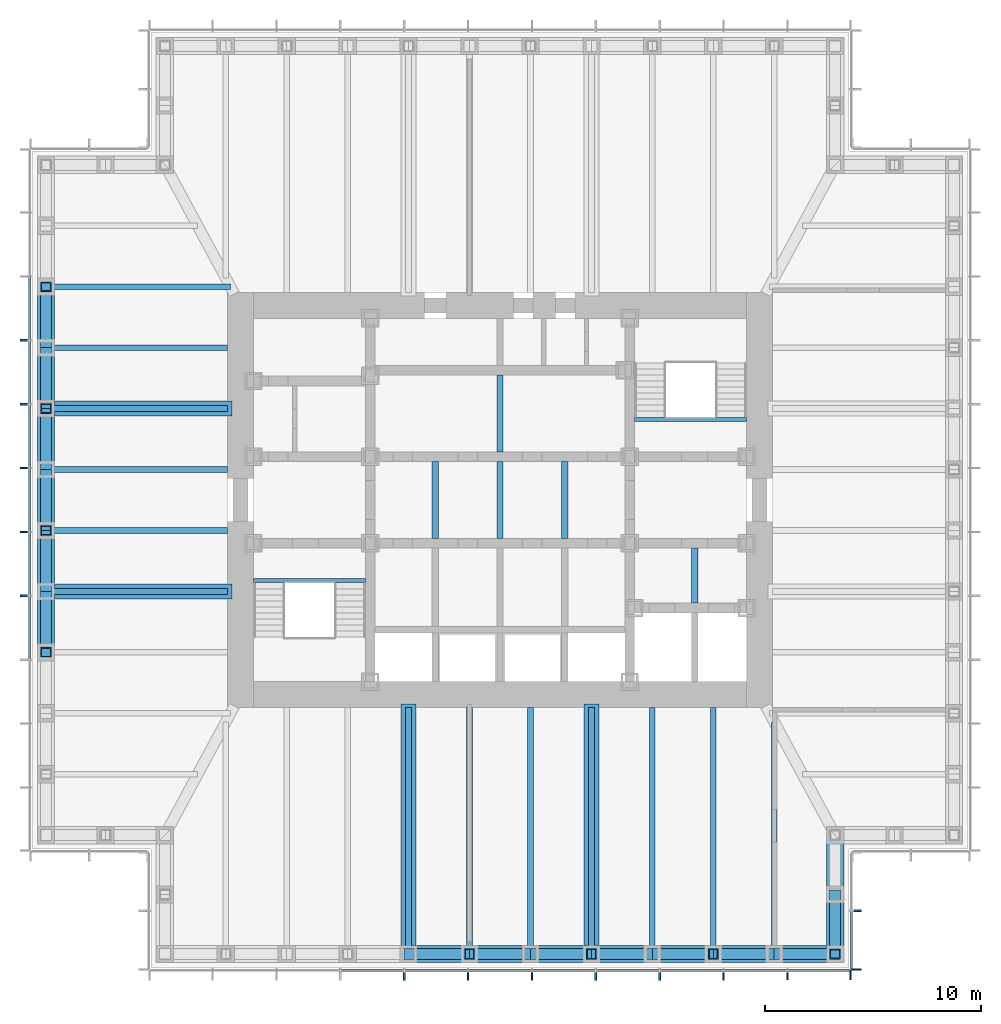
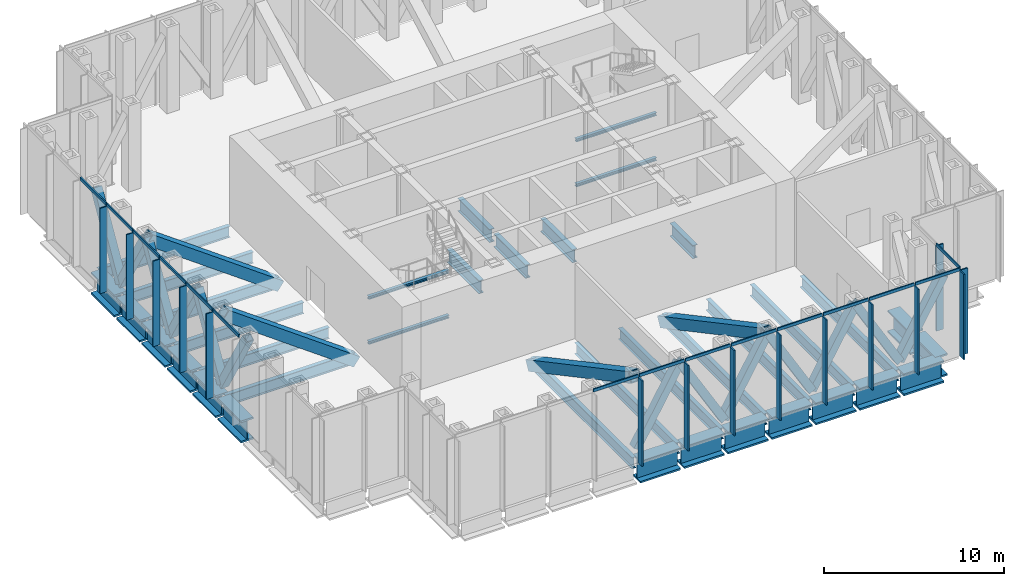
# One storey, part 2 of 12: 48 members, 37 beams, 3 elements without a shape of their own.
"""IFC4 building model written with IfcOpenShell, lengths in metres."""

from ifc_helpers import new_model, si_unit, direction, frame, origin, origin_2d, place, context, subcontext, project, spatial, rectangle, hollow_rectangle, i_section, extrude, material, material_profile, profile_set, type_object, element, aggregate, save


model = new_model("IFC4")

# Units and contexts
model_context = context("Model", 3, precision=1e-05, world=origin(), true_north=direction((0.0, 1.0)))
body_context = subcontext(model_context, "Body", "Model", "MODEL_VIEW")
ifc_project = project(units=[si_unit("LENGTHUNIT", "METRE"), si_unit("AREAUNIT", "SQUARE_METRE"), si_unit("VOLUMEUNIT", "CUBIC_METRE"), si_unit("PLANEANGLEUNIT", "RADIAN"), si_unit("MASSUNIT", "GRAM", prefix="KILO")], contexts=[model_context])

# Site, building, storey
site_placement = place(None, origin())
site = spatial("IfcSite", under=ifc_project, at=site_placement, CompositionType="ELEMENT")
building_placement = place(site_placement, origin())
building = spatial("IfcBuilding", under=site, at=building_placement, Name="Daluyong Arena Tower", CompositionType="ELEMENT")
storey_placement = place(building_placement, frame((0.0, 0.0, 244.300048828125)))
storey = spatial("IfcBuildingStorey", under=building, at=storey_placement, Name="L55", CompositionType="ELEMENT", Elevation=244.300048828125)

# Members
ifc_material_1 = material(Name="Steel ASTM A572 Grade 50", Category="steel")
ifc_material_profile_1 = material_profile(ifc_material_1, hollow_rectangle(XDim=0.5, YDim=0.5, WallThickness=0.04, at=origin_2d()))
ifc_profile_set_1 = profile_set([ifc_material_profile_1], Name="Steel ASTM A572 Grade 50")
member_type_1 = type_object("IfcMemberType", Name="Belt truss diagonal BX500X40", PredefinedType="BRACE", material=ifc_profile_set_1)
for number, where, z_axis, x_axis, name in (
    (1, (51.772705078125, 59.0, 0.5), (0.503187844061, 0.0, 0.86417706148), (0.0, 1.0, 0.0), "belt truss diagonal BT2"),
    (2, (57.4091796875, 59.0, 0.5), (-0.503220397931, 0.0, 0.864158105387), (0.0, -1.0, 0.0), "belt truss diagonal BT2"),
    (3, (57.4091796875, 59.0, 0.5), (0.503187844061, 0.0, 0.86417706148), (0.0, 1.0, 0.0), "belt truss diagonal BT2"),
    (4, (63.04541015625, 59.0, 0.5), (-0.503187844061, 0.0, 0.86417706148), (0.0, -1.0, 0.0), "belt truss diagonal BT2"),
    (5, (63.04541015625, 59.0, 0.5), (0.503187844061, 0.0, 0.86417706148), (0.0, 1.0, 0.0), "belt truss diagonal BT2"),
    (6, (68.681884765625, 59.0, 0.5), (-0.503220397931, 0.0, 0.864158105387), (0.0, -1.0, 0.0), "belt truss diagonal BT2"),
    (7, (68.681884765625, 59.0, 0.5), (0.503187844061, 0.0, 0.86417706148), (0.0, 1.0, 0.0), "belt truss diagonal BT2"),
):
    element("IfcMember", number, at=place(storey_placement, frame(where, z_axis=z_axis, x_axis=x_axis)), inside=storey, type_object=member_type_1, Name=name, PredefinedType="BRACE", context=body_context, shape_type="SweptSolid", body=[
        extrude(hollow_rectangle(XDim=0.5, YDim=0.5, WallThickness=0.04, at=origin_2d()), origin(), (0.0, 0.0, 1.0), 5.6005859375),
    ])
member_1_placement = place(storey_placement, frame((71.5, 61.75, 0.5), z_axis=(0.0, -0.494021463923, 0.869449707104), x_axis=(1.0, 0.0, 0.0)))
element("IfcMember", 8, at=member_1_placement, inside=storey, type_object=member_type_1, Name="belt truss diagonal BT2", PredefinedType="BRACE", context=body_context, shape_type="SweptSolid", body=[
    extrude(hollow_rectangle(XDim=0.5, YDim=0.5, WallThickness=0.04, at=origin_2d()), origin(), (0.0, 0.0, 1.0), 5.566650390625),
])
for number, where, z_axis, x_axis, name in (
    (9, (35.0, 87.04541015625, 0.5), (0.0, 0.503187844061, 0.86417706148), (-1.0, 0.0, 0.0), "belt truss diagonal BT2"),
    (10, (35.0, 87.04541015625, 0.5), (0.0, -0.503187844061, 0.86417706148), (1.0, 0.0, 0.0), "belt truss diagonal BT2"),
    (11, (35.0, 81.4091796875, 0.5), (0.0, 0.503187844061, 0.86417706148), (-1.0, 0.0, 0.0), "belt truss diagonal BT2"),
    (12, (35.0, 81.4091796875, 0.5), (0.0, -0.503220397931, 0.864158105387), (1.0, 0.0, 0.0), "belt truss diagonal BT2"),
    (13, (35.0, 75.772705078125, 0.5), (0.0, 0.503187844061, 0.86417706148), (-1.0, 0.0, 0.0), "belt truss diagonal BT2"),
    (14, (35.0, 75.772705078125, 0.5), (0.0, -0.503187844061, 0.86417706148), (1.0, 0.0, 0.0), "belt truss diagonal BT2"),
):
    element("IfcMember", number, at=place(storey_placement, frame(where, z_axis=z_axis, x_axis=x_axis)), inside=storey, type_object=member_type_1, Name=name, PredefinedType="BRACE", context=body_context, shape_type="SweptSolid", body=[
        extrude(hollow_rectangle(XDim=0.5, YDim=0.5, WallThickness=0.04, at=origin_2d()), origin(), (0.0, 0.0, 1.0), 5.6005859375),
    ])

# Curtain wall, members
ifc_material_2 = material(Name="Bronze anodised aluminium and glass", Category="aluminium")
curtain_wall_type = type_object("IfcCurtainWallType", Name="Curtain wall CW6", PredefinedType="USERDEFINED", material=ifc_material_2)
curtain_wall_1_placement = place(storey_placement, origin())
curtain_wall_1 = element("IfcCurtainWall", 15, at=curtain_wall_1_placement, inside=storey, type_object=curtain_wall_type, Name="curtain wall L55 S", ObjectType="UNITISED CURTAIN WALL", PredefinedType="USERDEFINED")
ifc_material_3 = material(Name="Bronze anodised aluminium fin", Category="aluminium")
ifc_material_profile_2 = material_profile(ifc_material_3, rectangle(XDim=0.449951171875, YDim=0.080078125, at=origin_2d()))
ifc_profile_set_2 = profile_set([ifc_material_profile_2], Name="Bronze anodised aluminium fin")
member_type_2 = type_object("IfcMemberType", Name="CW6 bronze fin 450x80", PredefinedType="MULLION", material=ifc_profile_set_2)
member_2_placement = place(storey_placement, frame((51.568115234375, 58.02490234375, 0.0), z_axis=(0.0, 0.0, 1.0), x_axis=(0.0, 1.0, 0.0)))
member_2 = element("IfcMember", 16, at=member_2_placement, type_object=member_type_2, Name="curtain wall L55 S fin 5", PredefinedType="MULLION", context=body_context, shape_type="SweptSolid", body=[
    extrude(rectangle(XDim=0.449951171875, YDim=0.080078125, at=origin_2d()), origin(), (0.0, 0.0, 1.0), 5.800048828125),
])
member_3_placement = place(storey_placement, frame((54.522705078125, 58.02490234375, 0.0), z_axis=(0.0, 0.0, 1.0), x_axis=(0.0, 1.0, 0.0)))
member_3 = element("IfcMember", 17, at=member_3_placement, type_object=member_type_2, Name="curtain wall L55 S fin 6", PredefinedType="MULLION", context=body_context, shape_type="SweptSolid", body=[
    extrude(rectangle(XDim=0.449951171875, YDim=0.080078125, at=origin_2d()), origin(), (0.0, 0.0, 1.0), 5.800048828125),
])
member_4_placement = place(storey_placement, frame((57.477294921875, 58.02490234375, 0.0), z_axis=(0.0, 0.0, 1.0), x_axis=(0.0, 1.0, 0.0)))
member_4 = element("IfcMember", 18, at=member_4_placement, type_object=member_type_2, Name="curtain wall L55 S fin 7", PredefinedType="MULLION", context=body_context, shape_type="SweptSolid", body=[
    extrude(rectangle(XDim=0.449951171875, YDim=0.080078125, at=origin_2d()), origin(), (0.0, 0.0, 1.0), 5.800048828125),
])
member_5_placement = place(storey_placement, frame((60.431884765625, 58.02490234375, 0.0), z_axis=(0.0, 0.0, 1.0), x_axis=(0.0, 1.0, 0.0)))
member_5 = element("IfcMember", 19, at=member_5_placement, type_object=member_type_2, Name="curtain wall L55 S fin 8", PredefinedType="MULLION", context=body_context, shape_type="SweptSolid", body=[
    extrude(rectangle(XDim=0.449951171875, YDim=0.080078125, at=origin_2d()), origin(), (0.0, 0.0, 1.0), 5.800048828125),
])
member_6_placement = place(storey_placement, frame((63.386474609375, 58.02490234375, 0.0), z_axis=(0.0, 0.0, 1.0), x_axis=(0.0, 1.0, 0.0)))
member_6 = element("IfcMember", 20, at=member_6_placement, type_object=member_type_2, Name="curtain wall L55 S fin 9", PredefinedType="MULLION", context=body_context, shape_type="SweptSolid", body=[
    extrude(rectangle(XDim=0.449951171875, YDim=0.080078125, at=origin_2d()), origin(), (0.0, 0.0, 1.0), 5.800048828125),
])
member_7_placement = place(storey_placement, frame((66.3408203125, 58.02490234375, 0.0), z_axis=(0.0, 0.0, 1.0), x_axis=(0.0, 1.0, 0.0)))
member_7 = element("IfcMember", 21, at=member_7_placement, type_object=member_type_2, Name="curtain wall L55 S fin 10", PredefinedType="MULLION", context=body_context, shape_type="SweptSolid", body=[
    extrude(rectangle(XDim=0.449951171875, YDim=0.080078125, at=origin_2d()), origin(), (0.0, 0.0, 1.0), 5.800048828125),
])
member_8_placement = place(storey_placement, frame((69.29541015625, 58.02490234375, 0.0), z_axis=(0.0, 0.0, 1.0), x_axis=(0.0, 1.0, 0.0)))
member_8 = element("IfcMember", 22, at=member_8_placement, type_object=member_type_2, Name="curtain wall L55 S fin 11", PredefinedType="MULLION", context=body_context, shape_type="SweptSolid", body=[
    extrude(rectangle(XDim=0.449951171875, YDim=0.080078125, at=origin_2d()), origin(), (0.0, 0.0, 1.0), 5.800048828125),
])
member_9_placement = place(storey_placement, frame((72.2099609375, 58.02490234375, 0.0), z_axis=(0.0, 0.0, 1.0), x_axis=(0.0, 1.0, 0.0)))
member_9 = element("IfcMember", 23, at=member_9_placement, type_object=member_type_2, Name="curtain wall L55 S fin 12", PredefinedType="MULLION", context=body_context, shape_type="SweptSolid", body=[
    extrude(rectangle(XDim=0.449951171875, YDim=0.080078125, at=origin_2d()), origin(), (0.0, 0.0, 1.0), 5.800048828125),
])

curtain_wall_2_placement = place(storey_placement, origin())
curtain_wall_2 = element("IfcCurtainWall", 24, at=curtain_wall_2_placement, inside=storey, type_object=curtain_wall_type, Name="curtain wall L55 SE-E", ObjectType="UNITISED CURTAIN WALL", PredefinedType="USERDEFINED")
member_10_placement = place(storey_placement, frame((72.47509765625, 58.2900390625, 0.0), z_axis=(0.0, 0.0, 1.0), x_axis=(-1.0, 0.0, 0.0)))
member_10 = element("IfcMember", 25, at=member_10_placement, type_object=member_type_2, Name="curtain wall L55 SE-E fin 1", PredefinedType="MULLION", context=body_context, shape_type="SweptSolid", body=[
    extrude(rectangle(XDim=0.449951171875, YDim=0.080078125, at=origin_2d()), origin(), (0.0, 0.0, 1.0), 5.800048828125),
])
member_11_placement = place(storey_placement, frame((72.47509765625, 61.0, 0.0), z_axis=(0.0, 0.0, 1.0), x_axis=(-1.0, 0.0, 0.0)))
member_11 = element("IfcMember", 26, at=member_11_placement, type_object=member_type_2, Name="curtain wall L55 SE-E fin 2", PredefinedType="MULLION", context=body_context, shape_type="SweptSolid", body=[
    extrude(rectangle(XDim=0.449951171875, YDim=0.080078125, at=origin_2d()), origin(), (0.0, 0.0, 1.0), 5.800048828125),
])

curtain_wall_3_placement = place(storey_placement, origin())
curtain_wall_3 = element("IfcCurtainWall", 27, at=curtain_wall_3_placement, inside=storey, type_object=curtain_wall_type, Name="curtain wall L55 W", ObjectType="UNITISED CURTAIN WALL", PredefinedType="USERDEFINED")
member_12_placement = place(storey_placement, frame((34.02490234375, 87.386474609375, 0.0), z_axis=(0.0, 0.0, 1.0), x_axis=(1.0, 0.0, 0.0)))
member_12 = element("IfcMember", 28, at=member_12_placement, type_object=member_type_2, Name="curtain wall L55 W fin 4", PredefinedType="MULLION", context=body_context, shape_type="SweptSolid", body=[
    extrude(rectangle(XDim=0.449951171875, YDim=0.080078125, at=origin_2d()), origin(), (0.0, 0.0, 1.0), 5.800048828125),
])
member_13_placement = place(storey_placement, frame((34.02490234375, 84.431884765625, 0.0), z_axis=(0.0, 0.0, 1.0), x_axis=(1.0, 0.0, 0.0)))
member_13 = element("IfcMember", 29, at=member_13_placement, type_object=member_type_2, Name="curtain wall L55 W fin 5", PredefinedType="MULLION", context=body_context, shape_type="SweptSolid", body=[
    extrude(rectangle(XDim=0.449951171875, YDim=0.080078125, at=origin_2d()), origin(), (0.0, 0.0, 1.0), 5.800048828125),
])
member_14_placement = place(storey_placement, frame((34.02490234375, 81.477294921875, 0.0), z_axis=(0.0, 0.0, 1.0), x_axis=(1.0, 0.0, 0.0)))
member_14 = element("IfcMember", 30, at=member_14_placement, type_object=member_type_2, Name="curtain wall L55 W fin 6", PredefinedType="MULLION", context=body_context, shape_type="SweptSolid", body=[
    extrude(rectangle(XDim=0.449951171875, YDim=0.080078125, at=origin_2d()), origin(), (0.0, 0.0, 1.0), 5.800048828125),
])
member_15_placement = place(storey_placement, frame((34.02490234375, 78.522705078125, 0.0), z_axis=(0.0, 0.0, 1.0), x_axis=(1.0, 0.0, 0.0)))
member_15 = element("IfcMember", 31, at=member_15_placement, type_object=member_type_2, Name="curtain wall L55 W fin 7", PredefinedType="MULLION", context=body_context, shape_type="SweptSolid", body=[
    extrude(rectangle(XDim=0.449951171875, YDim=0.080078125, at=origin_2d()), origin(), (0.0, 0.0, 1.0), 5.800048828125),
])
member_16_placement = place(storey_placement, frame((34.02490234375, 75.568115234375, 0.0), z_axis=(0.0, 0.0, 1.0), x_axis=(1.0, 0.0, 0.0)))
member_16 = element("IfcMember", 32, at=member_16_placement, type_object=member_type_2, Name="curtain wall L55 W fin 8", PredefinedType="MULLION", context=body_context, shape_type="SweptSolid", body=[
    extrude(rectangle(XDim=0.449951171875, YDim=0.080078125, at=origin_2d()), origin(), (0.0, 0.0, 1.0), 5.800048828125),
])

# Member
ifc_material_4 = material(Name="Bronze anodised aluminium", Category="aluminium")
ifc_material_profile_3 = material_profile(ifc_material_4, rectangle(XDim=0.080078125, YDim=0.199951171875, at=origin_2d()))
ifc_profile_set_3 = profile_set([ifc_material_profile_3], Name="Bronze anodised aluminium")
member_type_3 = type_object("IfcMemberType", Name="CW6 stack transom 200x80", PredefinedType="USERDEFINED", material=ifc_profile_set_3)
member_17_placement = place(storey_placement, frame((48.653564453125, 58.25, 5.89990234375), z_axis=(1.0, 0.0, 0.0), x_axis=(0.0, 1.0, 0.0)))
member_17 = element("IfcMember", 33, at=member_17_placement, type_object=member_type_3, Name="curtain wall L55 S transom 4", ObjectType="TRANSOM", PredefinedType="USERDEFINED", context=body_context, shape_type="SweptSolid", body=[
    extrude(rectangle(XDim=0.080078125, YDim=0.199951171875, at=origin_2d()), origin(), (0.0, 0.0, 1.0), 2.87451171875),
])

member_18_placement = place(storey_placement, frame((51.608154296875, 58.25, 5.89990234375), z_axis=(1.0, 0.0, 0.0), x_axis=(0.0, 1.0, 0.0)))
member_18 = element("IfcMember", 34, at=member_18_placement, type_object=member_type_3, Name="curtain wall L55 S transom 5", ObjectType="TRANSOM", PredefinedType="USERDEFINED", context=body_context, shape_type="SweptSolid", body=[
    extrude(rectangle(XDim=0.080078125, YDim=0.199951171875, at=origin_2d()), origin(), (0.0, 0.0, 1.0), 2.87451171875),
])

member_19_placement = place(storey_placement, frame((54.562744140625, 58.25, 5.89990234375), z_axis=(1.0, 0.0, 0.0), x_axis=(0.0, 1.0, 0.0)))
member_19 = element("IfcMember", 35, at=member_19_placement, type_object=member_type_3, Name="curtain wall L55 S transom 6", ObjectType="TRANSOM", PredefinedType="USERDEFINED", context=body_context, shape_type="SweptSolid", body=[
    extrude(rectangle(XDim=0.080078125, YDim=0.199951171875, at=origin_2d()), origin(), (0.0, 0.0, 1.0), 2.87451171875),
])

member_20_placement = place(storey_placement, frame((57.517333984375, 58.25, 5.89990234375), z_axis=(1.0, 0.0, 0.0), x_axis=(0.0, 1.0, 0.0)))
member_20 = element("IfcMember", 36, at=member_20_placement, type_object=member_type_3, Name="curtain wall L55 S transom 7", ObjectType="TRANSOM", PredefinedType="USERDEFINED", context=body_context, shape_type="SweptSolid", body=[
    extrude(rectangle(XDim=0.080078125, YDim=0.199951171875, at=origin_2d()), origin(), (0.0, 0.0, 1.0), 2.87451171875),
])

member_21_placement = place(storey_placement, frame((60.471923828125, 58.25, 5.89990234375), z_axis=(1.0, 0.0, 0.0), x_axis=(0.0, 1.0, 0.0)))
member_21 = element("IfcMember", 37, at=member_21_placement, type_object=member_type_3, Name="curtain wall L55 S transom 8", ObjectType="TRANSOM", PredefinedType="USERDEFINED", context=body_context, shape_type="SweptSolid", body=[
    extrude(rectangle(XDim=0.080078125, YDim=0.199951171875, at=origin_2d()), origin(), (0.0, 0.0, 1.0), 2.87451171875),
])

member_22_placement = place(storey_placement, frame((63.42626953125, 58.25, 5.89990234375), z_axis=(1.0, 0.0, 0.0), x_axis=(0.0, 1.0, 0.0)))
member_22 = element("IfcMember", 38, at=member_22_placement, type_object=member_type_3, Name="curtain wall L55 S transom 9", ObjectType="TRANSOM", PredefinedType="USERDEFINED", context=body_context, shape_type="SweptSolid", body=[
    extrude(rectangle(XDim=0.080078125, YDim=0.199951171875, at=origin_2d()), origin(), (0.0, 0.0, 1.0), 2.874755859375),
])

member_23_placement = place(storey_placement, frame((66.380859375, 58.25, 5.89990234375), z_axis=(1.0, 0.0, 0.0), x_axis=(0.0, 1.0, 0.0)))
member_23 = element("IfcMember", 39, at=member_23_placement, type_object=member_type_3, Name="curtain wall L55 S transom 10", ObjectType="TRANSOM", PredefinedType="USERDEFINED", context=body_context, shape_type="SweptSolid", body=[
    extrude(rectangle(XDim=0.080078125, YDim=0.199951171875, at=origin_2d()), origin(), (0.0, 0.0, 1.0), 2.87451171875),
])

member_24_placement = place(storey_placement, frame((69.33544921875, 58.25, 5.89990234375), z_axis=(1.0, 0.0, 0.0), x_axis=(0.0, 1.0, 0.0)))
member_24 = element("IfcMember", 40, at=member_24_placement, type_object=member_type_3, Name="curtain wall L55 S transom 11", ObjectType="TRANSOM", PredefinedType="USERDEFINED", context=body_context, shape_type="SweptSolid", body=[
    extrude(rectangle(XDim=0.080078125, YDim=0.199951171875, at=origin_2d()), origin(), (0.0, 0.0, 1.0), 2.83447265625),
])

aggregate(curtain_wall_1, [member_2, member_3, member_4, member_5, member_6, member_7, member_8, member_9, member_17, member_18, member_19, member_20, member_21, member_22, member_23, member_24])

member_25_placement = place(storey_placement, frame((72.25, 58.330078125, 5.89990234375), z_axis=(0.0, 1.0, 0.0), x_axis=(-1.0, 0.0, 0.0)))
member_25 = element("IfcMember", 41, at=member_25_placement, type_object=member_type_3, Name="curtain wall L55 SE-E transom 1", ObjectType="TRANSOM", PredefinedType="USERDEFINED", context=body_context, shape_type="SweptSolid", body=[
    extrude(rectangle(XDim=0.080078125, YDim=0.199951171875, at=origin_2d()), origin(), (0.0, 0.0, 1.0), 2.6298828125),
])

aggregate(curtain_wall_2, [member_10, member_11, member_25])

member_26_placement = place(storey_placement, frame((34.25, 90.301025390625, 5.89990234375), z_axis=(0.0, -1.0, 0.0), x_axis=(1.0, 0.0, 0.0)))
member_26 = element("IfcMember", 42, at=member_26_placement, type_object=member_type_3, Name="curtain wall L55 W transom 3", ObjectType="TRANSOM", PredefinedType="USERDEFINED", context=body_context, shape_type="SweptSolid", body=[
    extrude(rectangle(XDim=0.080078125, YDim=0.199951171875, at=origin_2d()), origin(), (0.0, 0.0, 1.0), 2.874755859375),
])

member_27_placement = place(storey_placement, frame((34.25, 87.346435546875, 5.89990234375), z_axis=(0.0, -1.0, 0.0), x_axis=(1.0, 0.0, 0.0)))
member_27 = element("IfcMember", 43, at=member_27_placement, type_object=member_type_3, Name="curtain wall L55 W transom 4", ObjectType="TRANSOM", PredefinedType="USERDEFINED", context=body_context, shape_type="SweptSolid", body=[
    extrude(rectangle(XDim=0.080078125, YDim=0.199951171875, at=origin_2d()), origin(), (0.0, 0.0, 1.0), 2.87451171875),
])

member_28_placement = place(storey_placement, frame((34.25, 84.391845703125, 5.89990234375), z_axis=(0.0, -1.0, 0.0), x_axis=(1.0, 0.0, 0.0)))
member_28 = element("IfcMember", 44, at=member_28_placement, type_object=member_type_3, Name="curtain wall L55 W transom 5", ObjectType="TRANSOM", PredefinedType="USERDEFINED", context=body_context, shape_type="SweptSolid", body=[
    extrude(rectangle(XDim=0.080078125, YDim=0.199951171875, at=origin_2d()), origin(), (0.0, 0.0, 1.0), 2.87451171875),
])

member_29_placement = place(storey_placement, frame((34.25, 81.437255859375, 5.89990234375), z_axis=(0.0, -1.0, 0.0), x_axis=(1.0, 0.0, 0.0)))
member_29 = element("IfcMember", 45, at=member_29_placement, type_object=member_type_3, Name="curtain wall L55 W transom 6", ObjectType="TRANSOM", PredefinedType="USERDEFINED", context=body_context, shape_type="SweptSolid", body=[
    extrude(rectangle(XDim=0.080078125, YDim=0.199951171875, at=origin_2d()), origin(), (0.0, 0.0, 1.0), 2.87451171875),
])

member_30_placement = place(storey_placement, frame((34.25, 78.482666015625, 5.89990234375), z_axis=(0.0, -1.0, 0.0), x_axis=(1.0, 0.0, 0.0)))
member_30 = element("IfcMember", 46, at=member_30_placement, type_object=member_type_3, Name="curtain wall L55 W transom 7", ObjectType="TRANSOM", PredefinedType="USERDEFINED", context=body_context, shape_type="SweptSolid", body=[
    extrude(rectangle(XDim=0.080078125, YDim=0.199951171875, at=origin_2d()), origin(), (0.0, 0.0, 1.0), 2.87451171875),
])

member_31_placement = place(storey_placement, frame((34.25, 75.528076171875, 5.89990234375), z_axis=(0.0, -1.0, 0.0), x_axis=(1.0, 0.0, 0.0)))
member_31 = element("IfcMember", 47, at=member_31_placement, type_object=member_type_3, Name="curtain wall L55 W transom 8", ObjectType="TRANSOM", PredefinedType="USERDEFINED", context=body_context, shape_type="SweptSolid", body=[
    extrude(rectangle(XDim=0.080078125, YDim=0.199951171875, at=origin_2d()), origin(), (0.0, 0.0, 1.0), 2.87451171875),
])

aggregate(curtain_wall_3, [member_12, member_13, member_14, member_15, member_16, member_26, member_27, member_28, member_29, member_30, member_31])

# Beams
ifc_material_5 = material(Name="Steel ASTM A992 Grade 50", Category="steel")
ifc_material_profile_4 = material_profile(ifc_material_5, i_section(OverallWidth=0.2666015625, OverallDepth=0.761962890625, WebThickness=0.014404296875, FlangeThickness=0.021484375, at=origin_2d()))
ifc_profile_set_4 = profile_set([ifc_material_profile_4], Name="Steel ASTM A992 Grade 50")
beam_type_1 = type_object("IfcBeamType", Name="Floor beam W30X116", PredefinedType="BEAM", material=ifc_profile_set_4)
for number, where, z_axis, x_axis, name in (
    (48, (51.772705078125, 59.114990234375, -0.631103515625), (0.0, 1.0, 0.0), (-1.0, 0.0, 0.0), "floor beam FB4"),
    (49, (54.5908203125, 59.114990234375, -0.631103515625), (0.0, 1.0, 0.0), (-1.0, 0.0, 0.0), "floor beam FB4"),
    (50, (57.4091796875, 59.114990234375, -0.631103515625), (0.0, 1.0, 0.0), (-1.0, 0.0, 0.0), "floor beam FB4"),
    (51, (60.227294921875, 59.114990234375, -0.631103515625), (0.0, 1.0, 0.0), (-1.0, 0.0, 0.0), "floor beam FB4"),
    (52, (63.04541015625, 59.114990234375, -0.631103515625), (0.0, 1.0, 0.0), (-1.0, 0.0, 0.0), "floor beam FB4"),
    (53, (65.863525390625, 59.114990234375, -0.631103515625), (0.0, 1.0, 0.0), (-1.0, 0.0, 0.0), "floor beam FB4"),
):
    element("IfcBeam", number, at=place(storey_placement, frame(where, z_axis=z_axis, x_axis=x_axis)), inside=storey, type_object=beam_type_1, Name=name, PredefinedType="BEAM", context=body_context, shape_type="SweptSolid", body=[
        extrude(i_section(OverallWidth=0.2666015625, OverallDepth=0.761962890625, WebThickness=0.014404296875, FlangeThickness=0.021484375, at=origin_2d()), origin(), (0.0, 0.0, 1.0), 11.284912109375),
    ])
beam_1_placement = place(storey_placement, frame((68.681884765625, 59.114990234375, -0.631103515625), z_axis=(0.0, 1.0, 0.0), x_axis=(-1.0, 0.0, 0.0)))
element("IfcBeam", 54, at=beam_1_placement, inside=storey, type_object=beam_type_1, Name="floor beam FB4", PredefinedType="BEAM", context=body_context, shape_type="SweptSolid", body=[
    extrude(i_section(OverallWidth=0.2666015625, OverallDepth=0.761962890625, WebThickness=0.014404296875, FlangeThickness=0.021484375, at=origin_2d()), origin(), (0.0, 0.0, 1.0), 10.618896484375),
])
beam_2_placement = place(storey_placement, frame((35.114990234375, 89.863525390625, -0.631103515625), z_axis=(1.0, 0.0, 0.0), x_axis=(0.0, 1.0, 0.0)))
element("IfcBeam", 55, at=beam_2_placement, inside=storey, type_object=beam_type_1, Name="floor beam FB4", PredefinedType="BEAM", context=body_context, shape_type="SweptSolid", body=[
    extrude(i_section(OverallWidth=0.2666015625, OverallDepth=0.761962890625, WebThickness=0.014404296875, FlangeThickness=0.021484375, at=origin_2d()), origin(), (0.0, 0.0, 1.0), 8.419921875),
])
for number, where, z_axis, x_axis, name in (
    (56, (35.114990234375, 87.04541015625, -0.631103515625), (1.0, 0.0, 0.0), (0.0, 1.0, 0.0), "floor beam FB4"),
    (57, (35.114990234375, 84.227294921875, -0.631103515625), (1.0, 0.0, 0.0), (0.0, 1.0, 0.0), "floor beam FB4"),
    (58, (35.114990234375, 81.4091796875, -0.631103515625), (1.0, 0.0, 0.0), (0.0, 1.0, 0.0), "floor beam FB4"),
    (59, (35.114990234375, 78.5908203125, -0.631103515625), (1.0, 0.0, 0.0), (0.0, 1.0, 0.0), "floor beam FB4"),
    (60, (35.114990234375, 75.772705078125, -0.631103515625), (1.0, 0.0, 0.0), (0.0, 1.0, 0.0), "floor beam FB4"),
):
    element("IfcBeam", number, at=place(storey_placement, frame(where, z_axis=z_axis, x_axis=x_axis)), inside=storey, type_object=beam_type_1, Name=name, PredefinedType="BEAM", context=body_context, shape_type="SweptSolid", body=[
        extrude(i_section(OverallWidth=0.2666015625, OverallDepth=0.761962890625, WebThickness=0.014404296875, FlangeThickness=0.021484375, at=origin_2d()), origin(), (0.0, 0.0, 1.0), 8.284912109375),
    ])
ifc_material_6 = material(Name="Steel ASTM A572 Grade 50", Category="steel")
ifc_material_profile_5 = material_profile(ifc_material_6, i_section(OverallWidth=0.300048828125, OverallDepth=0.89990234375, WebThickness=0.025, FlangeThickness=0.04, at=origin_2d()))
ifc_profile_set_5 = profile_set([ifc_material_profile_5], Name="Steel ASTM A572 Grade 50")
beam_type_2 = type_object("IfcBeamType", Name="Lift divider beam PG900X300", PredefinedType="BEAM", material=ifc_profile_set_5)
for number, where, z_axis, x_axis, name in (
    (61, (53.0, 78.22509765625, -0.699951171875), (0.0, 1.0, 0.0), (-1.0, 0.0, 0.0), "lift divider beam DB1"),
    (62, (56.0, 78.22509765625, -0.699951171875), (0.0, 1.0, 0.0), (-1.0, 0.0, 0.0), "lift divider beam DB1"),
    (63, (56.0, 82.22509765625, -0.699951171875), (0.0, 1.0, 0.0), (-1.0, 0.0, 0.0), "lift divider beam DB1"),
    (64, (59.0, 78.22509765625, -0.699951171875), (0.0, 1.0, 0.0), (-1.0, 0.0, 0.0), "lift divider beam DB1"),
):
    element("IfcBeam", number, at=place(storey_placement, frame(where, z_axis=z_axis, x_axis=x_axis)), inside=storey, type_object=beam_type_2, Name=name, PredefinedType="BEAM", context=body_context, shape_type="SweptSolid", body=[
        extrude(i_section(OverallWidth=0.300048828125, OverallDepth=0.89990234375, WebThickness=0.025, FlangeThickness=0.04, at=origin_2d()), origin(), (0.0, 0.0, 1.0), 3.5498046875),
    ])
beam_3_placement = place(storey_placement, frame((65.0, 75.22509765625, -0.699951171875), z_axis=(0.0, 1.0, 0.0), x_axis=(-1.0, 0.0, 0.0)))
element("IfcBeam", 65, at=beam_3_placement, inside=storey, type_object=beam_type_2, Name="lift divider beam DB1", PredefinedType="BEAM", context=body_context, shape_type="SweptSolid", body=[
    extrude(i_section(OverallWidth=0.300048828125, OverallDepth=0.89990234375, WebThickness=0.025, FlangeThickness=0.04, at=origin_2d()), origin(), (0.0, 0.0, 1.0), 2.5498046875),
])

# Members
ifc_material_7 = material(Name="Steel ASTM A572 Grade 50", Category="steel")
ifc_material_profile_6 = material_profile(ifc_material_7, hollow_rectangle(XDim=0.699951171875, YDim=0.699951171875, WallThickness=0.06, at=origin_2d()))
ifc_profile_set_6 = profile_set([ifc_material_profile_6], Name="Steel ASTM A572 Grade 50")
member_type_4 = type_object("IfcMemberType", Name="Outrigger diagonal BX700X60", PredefinedType="BRACE", material=ifc_profile_set_6)
for number, where, z_axis, x_axis, name in (
    (66, (43.39990234375, 75.772705078125, -0.75), (-0.809614357209, 0.0, 0.586962173058), (0.0, -1.0, 0.0), "outrigger diagonal OT1"),
    (67, (43.39990234375, 84.227294921875, -0.75), (-0.809614357209, 0.0, 0.586962173058), (0.0, -1.0, 0.0), "outrigger diagonal OT1"),
):
    element("IfcMember", number, at=place(storey_placement, frame(where, z_axis=z_axis, x_axis=x_axis)), inside=storey, type_object=member_type_4, Name=name, PredefinedType="BRACE", context=body_context, shape_type="SweptSolid", body=[
        extrude(hollow_rectangle(XDim=0.699951171875, YDim=0.699951171875, WallThickness=0.06, at=origin_2d()), origin(), (0.0, 0.0, 1.0), 10.375244140625),
    ])
for number, where, z_axis, x_axis, name in (
    (68, (51.772705078125, 70.39990234375, -0.75), (0.0, -0.88203481797, 0.471184231367), (1.0, 0.0, 0.0), "outrigger diagonal OT1"),
    (69, (60.227294921875, 70.39990234375, -0.75), (0.0, -0.88203481797, 0.471184231367), (1.0, 0.0, 0.0), "outrigger diagonal OT1"),
):
    element("IfcMember", number, at=place(storey_placement, frame(where, z_axis=z_axis, x_axis=x_axis)), inside=storey, type_object=member_type_4, Name=name, PredefinedType="BRACE", context=body_context, shape_type="SweptSolid", body=[
        extrude(hollow_rectangle(XDim=0.699951171875, YDim=0.699951171875, WallThickness=0.06, at=origin_2d()), origin(), (0.0, 0.0, 1.0), 12.924560546875),
    ])

# Beams
ifc_material_8 = material(Name="Steel ASTM A588 Grade 50", Category="steel")
ifc_material_profile_7 = material_profile(ifc_material_8, i_section(OverallWidth=0.800048828125, OverallDepth=1.5, WebThickness=0.05, FlangeThickness=0.12, at=origin_2d()))
ifc_profile_set_7 = profile_set([ifc_material_profile_7], Name="Steel ASTM A588 Grade 50")
beam_type_3 = type_object("IfcBeamType", Name="Spandrel Z3 PG1500X800", PredefinedType="SPANDREL", material=ifc_profile_set_7)
beam_4_placement = place(storey_placement, frame((51.8876953125, 59.0, -1.0), z_axis=(1.0, 0.0, 0.0), x_axis=(0.0, 1.0, 0.0)))
element("IfcBeam", 70, at=beam_4_placement, inside=storey, type_object=beam_type_3, Name="spandrel z3 SB7", PredefinedType="SPANDREL", context=body_context, shape_type="SweptSolid", body=[
    extrude(i_section(OverallWidth=0.800048828125, OverallDepth=1.5, WebThickness=0.05, FlangeThickness=0.12, at=origin_2d()), origin(), (0.0, 0.0, 1.0), 2.588134765625),
])
beam_5_placement = place(storey_placement, frame((54.705810546875, 59.0, -1.0), z_axis=(1.0, 0.0, 0.0), x_axis=(0.0, 1.0, 0.0)))
element("IfcBeam", 71, at=beam_5_placement, inside=storey, type_object=beam_type_3, Name="spandrel z3 SB7", PredefinedType="SPANDREL", context=body_context, shape_type="SweptSolid", body=[
    extrude(i_section(OverallWidth=0.800048828125, OverallDepth=1.5, WebThickness=0.05, FlangeThickness=0.12, at=origin_2d()), origin(), (0.0, 0.0, 1.0), 2.58837890625),
])
for number, where, z_axis, x_axis, name in (
    (72, (57.524169921875, 59.0, -1.0), (1.0, 0.0, 0.0), (0.0, 1.0, 0.0), "spandrel z3 SB7"),
    (73, (60.34228515625, 59.0, -1.0), (1.0, 0.0, 0.0), (0.0, 1.0, 0.0), "spandrel z3 SB7"),
    (74, (63.160400390625, 59.0, -1.0), (1.0, 0.0, 0.0), (0.0, 1.0, 0.0), "spandrel z3 SB7"),
):
    element("IfcBeam", number, at=place(storey_placement, frame(where, z_axis=z_axis, x_axis=x_axis)), inside=storey, type_object=beam_type_3, Name=name, PredefinedType="SPANDREL", context=body_context, shape_type="SweptSolid", body=[
        extrude(i_section(OverallWidth=0.800048828125, OverallDepth=1.5, WebThickness=0.05, FlangeThickness=0.12, at=origin_2d()), origin(), (0.0, 0.0, 1.0), 2.588134765625),
    ])
beam_6_placement = place(storey_placement, frame((65.978515625, 59.0, -1.0), z_axis=(1.0, 0.0, 0.0), x_axis=(0.0, 1.0, 0.0)))
element("IfcBeam", 75, at=beam_6_placement, inside=storey, type_object=beam_type_3, Name="spandrel z3 SB7", PredefinedType="SPANDREL", context=body_context, shape_type="SweptSolid", body=[
    extrude(i_section(OverallWidth=0.800048828125, OverallDepth=1.5, WebThickness=0.05, FlangeThickness=0.12, at=origin_2d()), origin(), (0.0, 0.0, 1.0), 2.58837890625),
])
beam_7_placement = place(storey_placement, frame((68.796875, 59.0, -1.0), z_axis=(1.0, 0.0, 0.0), x_axis=(0.0, 1.0, 0.0)))
element("IfcBeam", 76, at=beam_7_placement, inside=storey, type_object=beam_type_3, Name="spandrel z3 SB7", PredefinedType="SPANDREL", context=body_context, shape_type="SweptSolid", body=[
    extrude(i_section(OverallWidth=0.800048828125, OverallDepth=1.5, WebThickness=0.05, FlangeThickness=0.12, at=origin_2d()), origin(), (0.0, 0.0, 1.0), 2.588134765625),
])
for number, where, z_axis, x_axis, name in (
    (77, (71.5, 59.114990234375, -1.0), (0.0, 1.0, 0.0), (-1.0, 0.0, 0.0), "spandrel z3 SB7"),
    (78, (71.5, 61.864990234375, -1.0), (0.0, 1.0, 0.0), (-1.0, 0.0, 0.0), "spandrel z3 SB7"),
):
    element("IfcBeam", number, at=place(storey_placement, frame(where, z_axis=z_axis, x_axis=x_axis)), inside=storey, type_object=beam_type_3, Name=name, PredefinedType="SPANDREL", context=body_context, shape_type="SweptSolid", body=[
        extrude(i_section(OverallWidth=0.800048828125, OverallDepth=1.5, WebThickness=0.05, FlangeThickness=0.12, at=origin_2d()), origin(), (0.0, 0.0, 1.0), 2.52001953125),
    ])
for number, where, z_axis, x_axis, name in (
    (79, (35.0, 89.74853515625, -1.0), (0.0, -1.0, 0.0), (1.0, 0.0, 0.0), "spandrel z3 SB7"),
    (80, (35.0, 86.930419921875, -1.0), (0.0, -1.0, 0.0), (1.0, 0.0, 0.0), "spandrel z3 SB7"),
    (81, (35.0, 84.1123046875, -1.0), (0.0, -1.0, 0.0), (1.0, 0.0, 0.0), "spandrel z3 SB7"),
):
    element("IfcBeam", number, at=place(storey_placement, frame(where, z_axis=z_axis, x_axis=x_axis)), inside=storey, type_object=beam_type_3, Name=name, PredefinedType="SPANDREL", context=body_context, shape_type="SweptSolid", body=[
        extrude(i_section(OverallWidth=0.800048828125, OverallDepth=1.5, WebThickness=0.05, FlangeThickness=0.12, at=origin_2d()), origin(), (0.0, 0.0, 1.0), 2.588134765625),
    ])
beam_8_placement = place(storey_placement, frame((35.0, 81.294189453125, -1.0), z_axis=(0.0, -1.0, 0.0), x_axis=(1.0, 0.0, 0.0)))
element("IfcBeam", 82, at=beam_8_placement, inside=storey, type_object=beam_type_3, Name="spandrel z3 SB7", PredefinedType="SPANDREL", context=body_context, shape_type="SweptSolid", body=[
    extrude(i_section(OverallWidth=0.800048828125, OverallDepth=1.5, WebThickness=0.05, FlangeThickness=0.12, at=origin_2d()), origin(), (0.0, 0.0, 1.0), 2.58837890625),
])
for number, where, z_axis, x_axis, name in (
    (83, (35.0, 78.475830078125, -1.0), (0.0, -1.0, 0.0), (1.0, 0.0, 0.0), "spandrel z3 SB7"),
    (84, (35.0, 75.65771484375, -1.0), (0.0, -1.0, 0.0), (1.0, 0.0, 0.0), "spandrel z3 SB7"),
):
    element("IfcBeam", number, at=place(storey_placement, frame(where, z_axis=z_axis, x_axis=x_axis)), inside=storey, type_object=beam_type_3, Name=name, PredefinedType="SPANDREL", context=body_context, shape_type="SweptSolid", body=[
        extrude(i_section(OverallWidth=0.800048828125, OverallDepth=1.5, WebThickness=0.05, FlangeThickness=0.12, at=origin_2d()), origin(), (0.0, 0.0, 1.0), 2.588134765625),
    ])
ifc_material_9 = material(Name="Steel ASTM A992 Grade 50", Category="steel")
ifc_material_profile_8 = material_profile(ifc_material_9, i_section(OverallWidth=0.203125, OverallDepth=0.203125, WebThickness=0.00732421875, FlangeThickness=0.010986328125, at=origin_2d()))
ifc_profile_set_8 = profile_set([ifc_material_profile_8], Name="Steel ASTM A992 Grade 50")
beam_type_4 = type_object("IfcBeamType", Name="Stair landing beam W8X31", PredefinedType="BEAM", material=ifc_profile_set_8)
for number, where, z_axis, x_axis, name in (
    (85, (44.60009765625, 76.276611328125, -0.3515625), (1.0, 0.0, 0.0), (0.0, 1.0, 0.0), "exit stair A landing beam"),
    (86, (44.60009765625, 76.276611328125, 2.6982421875), (1.0, 0.0, 0.0), (0.0, 1.0, 0.0), "exit stair A landing beam"),
    (87, (62.22509765625, 83.723388671875, -0.3515625), (1.0, 0.0, 0.0), (0.0, 1.0, 0.0), "exit stair B landing beam"),
    (88, (62.22509765625, 83.723388671875, 2.6982421875), (1.0, 0.0, 0.0), (0.0, 1.0, 0.0), "exit stair B landing beam"),
):
    element("IfcBeam", number, at=place(storey_placement, frame(where, z_axis=z_axis, x_axis=x_axis)), inside=storey, type_object=beam_type_4, Name=name, PredefinedType="BEAM", context=body_context, shape_type="SweptSolid", body=[
        extrude(i_section(OverallWidth=0.203125, OverallDepth=0.203125, WebThickness=0.00732421875, FlangeThickness=0.010986328125, at=origin_2d()), origin(), (0.0, 0.0, 1.0), 5.1748046875),
    ])

save(model, "model.ifc")
